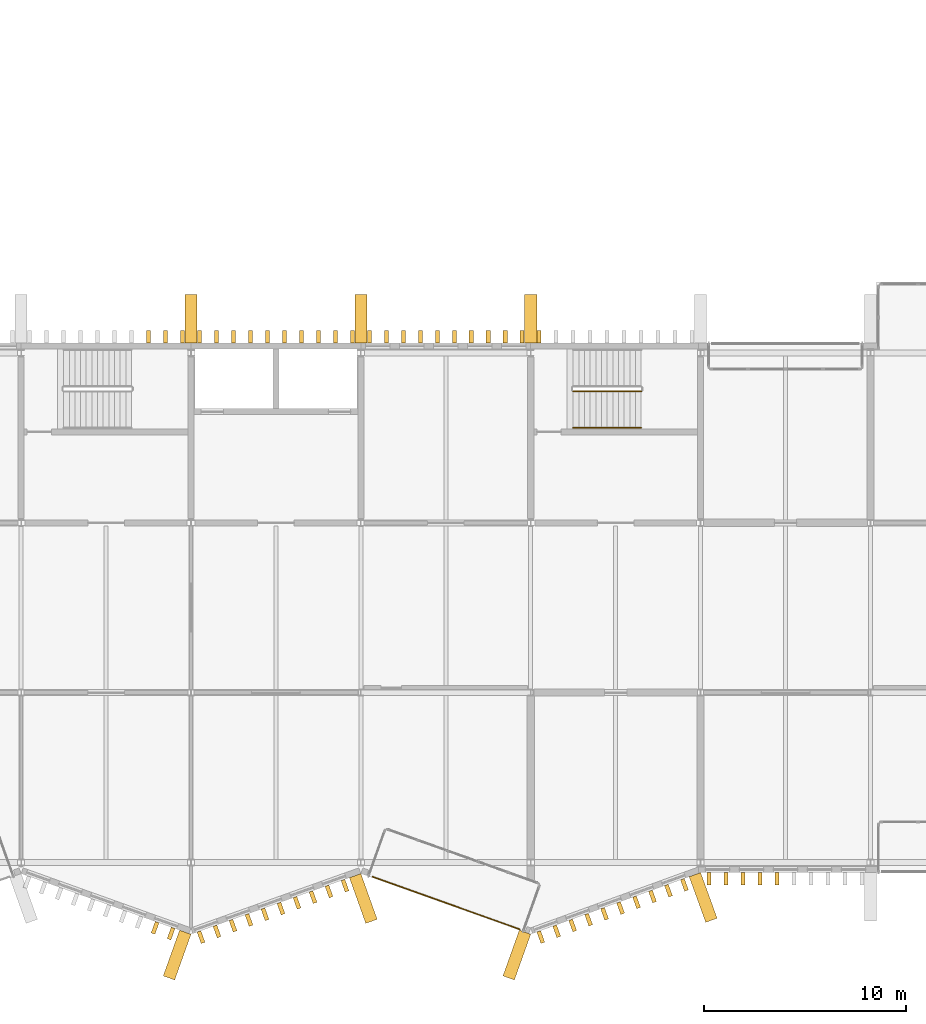
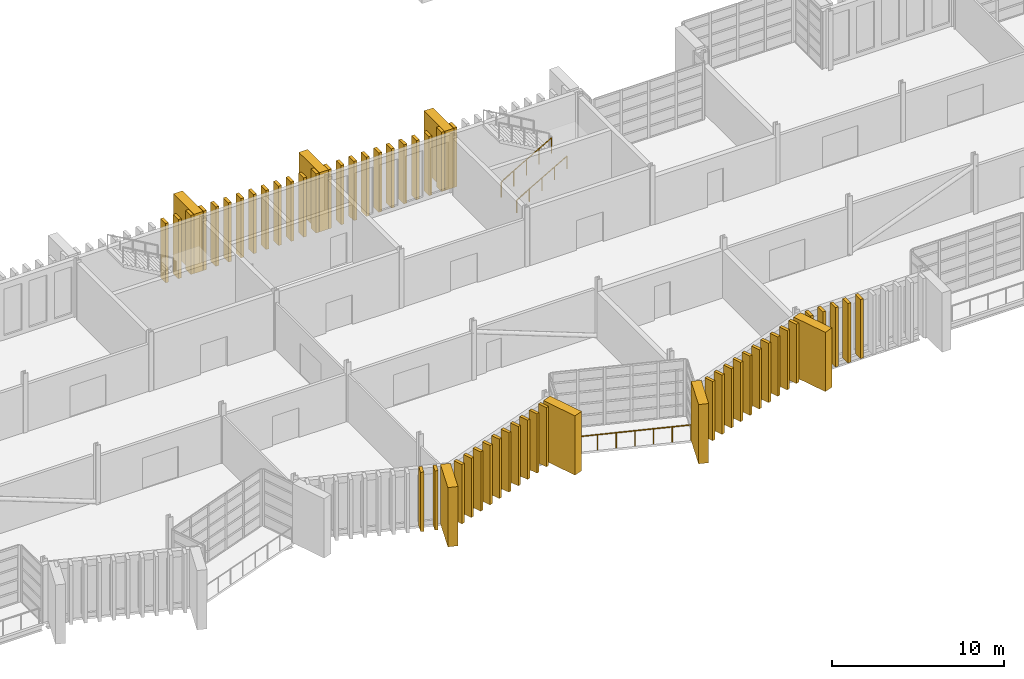
# One storey, part 89 of 100: 58 coverings, 3 railings.
"""IFC4 building model written with IfcOpenShell, lengths in metres."""

from ifc_helpers import new_model, si_unit, direction, frame, origin, origin_2d, place, context, subcontext, project, spatial, rectangle, circle, extrude, material, type_object, element, save


model = new_model("IFC4")

# Units and contexts
model_context = context("Model", 3, precision=1e-05, world=origin(), true_north=direction((0.0, 1.0)))
body_context = subcontext(model_context, "Body", "Model", "MODEL_VIEW")
ifc_project = project(units=[si_unit("LENGTHUNIT", "METRE"), si_unit("AREAUNIT", "SQUARE_METRE"), si_unit("VOLUMEUNIT", "CUBIC_METRE"), si_unit("PLANEANGLEUNIT", "RADIAN"), si_unit("MASSUNIT", "GRAM", prefix="KILO")], contexts=[model_context])

# Site, building, storey
site_placement = place(None, origin())
site = spatial("IfcSite", under=ifc_project, at=site_placement, CompositionType="ELEMENT")
building_placement = place(site_placement, origin())
building = spatial("IfcBuilding", under=site, at=building_placement, Name="Cresset Court Congress Hotel", CompositionType="ELEMENT")
storey_placement = place(building_placement, frame((0.0, 0.0, 10.199951171875)))
storey = spatial("IfcBuildingStorey", under=building, at=storey_placement, Name="L02", CompositionType="ELEMENT", Elevation=10.199951171875)

# Railings
ifc_material_1 = material(Name="Steel and laminated glass", Category="steel")
railing_type_1 = type_object("IfcRailingType", Name="Guard 1100 steel and glass", PredefinedType="GUARDRAIL", material=ifc_material_1)
railing_1_placement = place(storey_placement, frame((60.89990234375, 23.300048828125, 0.16162109375)))
element("IfcRailing", 1, at=railing_1_placement, inside=storey, type_object=railing_type_1, Name="L02 ST-B3 stair guard 1", PredefinedType="GUARDRAIL", context=body_context, shape_type="SweptSolid", body=[
    extrude(circle(Radius=0.02392578125, at=origin_2d()), frame((0.0, 0.0, 1.076171875), z_axis=(0.866190824863, 0.0, 0.499713372768), x_axis=(0.0, 1.0, 0.0)), (0.0, 0.0, 1.0), 3.879150390625),
    extrude(circle(Radius=0.02099609375, at=origin_2d()), origin(), (0.0, 0.0, 1.0), 1.052001953125),
    extrude(circle(Radius=0.02099609375, at=origin_2d()), frame((0.840087890625, 0.0, 0.484619140625)), (0.0, 0.0, 1.0), 1.052001953125),
    extrude(circle(Radius=0.02099609375, at=origin_2d()), frame((1.68017578125, 0.0, 0.96923828125)), (0.0, 0.0, 1.0), 1.052001953125),
    extrude(circle(Radius=0.02099609375, at=origin_2d()), frame((2.52001953125, 0.0, 1.453857421875)), (0.0, 0.0, 1.0), 1.052001953125),
    extrude(circle(Radius=0.02099609375, at=origin_2d()), frame((3.360107421875, 0.0, 1.9384765625)), (0.0, 0.0, 1.0), 1.052001953125),
])
ifc_material_2 = material(Name="Steel and laminated glass", Category="steel")
railing_type_2 = type_object("IfcRailingType", Name="Guard 1100 steel and glass external", PredefinedType="GUARDRAIL", material=ifc_material_2)
railing_2_placement = place(storey_placement, frame((50.98193359375, -0.704833984375, 0.0)))
element("IfcRailing", 2, at=railing_2_placement, inside=storey, type_object=railing_type_2, Name="Guard to recess S0207", PredefinedType="GUARDRAIL", context=body_context, shape_type="SweptSolid", body=[
    extrude(circle(Radius=0.02392578125, at=origin_2d()), frame((0.0, 0.0, 1.076171875), z_axis=(0.941748351249, -0.336318365422, 0.0), x_axis=(0.336318365422, 0.941748351249, 0.0)), (0.0, 0.0, 1.0), 7.719482421875),
    extrude(circle(Radius=0.02099609375, at=origin_2d()), origin(), (0.0, 0.0, 1.0), 1.052001953125),
    extrude(circle(Radius=0.02099609375, at=origin_2d()), frame((1.03857421875, -0.370849609375, 0.0)), (0.0, 0.0, 1.0), 1.052001953125),
    extrude(circle(Radius=0.02099609375, at=origin_2d()), frame((2.0771484375, -0.74169921875, 0.0)), (0.0, 0.0, 1.0), 1.052001953125),
    extrude(circle(Radius=0.02099609375, at=origin_2d()), frame((3.11572265625, -1.112548828125, 0.0)), (0.0, 0.0, 1.0), 1.052001953125),
    extrude(circle(Radius=0.02099609375, at=origin_2d()), frame((4.154052734375, -1.483642578125, 0.0)), (0.0, 0.0, 1.0), 1.052001953125),
    extrude(circle(Radius=0.02099609375, at=origin_2d()), frame((5.192626953125, -1.8544921875, 0.0)), (0.0, 0.0, 1.0), 1.052001953125),
    extrude(circle(Radius=0.02099609375, at=origin_2d()), frame((6.231201171875, -2.225341796875, 0.0)), (0.0, 0.0, 1.0), 1.052001953125),
    extrude(circle(Radius=0.02099609375, at=origin_2d()), frame((7.269775390625, -2.59619140625, 0.0)), (0.0, 0.0, 1.0), 1.052001953125),
])
ifc_material_3 = material(Name="Stainless steel", Category="steel")
railing_type_3 = type_object("IfcRailingType", Name="Handrail 48 stainless", PredefinedType="HANDRAIL", material=ifc_material_3)
railing_3_placement = place(storey_placement, frame((60.89990234375, 21.5, 0.16162109375)))
element("IfcRailing", 3, at=railing_3_placement, inside=storey, type_object=railing_type_3, Name="L02 ST-B3 stair handrail 1", PredefinedType="HANDRAIL", context=body_context, shape_type="SweptSolid", body=[
    extrude(circle(Radius=0.02392578125, at=origin_2d()), frame((0.0, 0.0, 0.8759765625), z_axis=(0.866190824863, 0.0, 0.499713372768), x_axis=(0.0, 1.0, 0.0)), (0.0, 0.0, 1.0), 3.879150390625),
    extrude(circle(Radius=0.02099609375, at=origin_2d()), origin(), (0.0, 0.0, 1.0), 0.851806640625),
    extrude(circle(Radius=0.02099609375, at=origin_2d()), frame((0.840087890625, 0.0, 0.484619140625)), (0.0, 0.0, 1.0), 0.851806640625),
    extrude(circle(Radius=0.02099609375, at=origin_2d()), frame((1.68017578125, 0.0, 0.96923828125)), (0.0, 0.0, 1.0), 0.851806640625),
    extrude(circle(Radius=0.02099609375, at=origin_2d()), frame((2.52001953125, 0.0, 1.453857421875)), (0.0, 0.0, 1.0), 0.851806640625),
    extrude(circle(Radius=0.02099609375, at=origin_2d()), frame((3.360107421875, 0.0, 1.9384765625)), (0.0, 0.0, 1.0), 0.851806640625),
])

# Coverings
ifc_material_4 = material(Name="Precast concrete C50", Category="concrete")
covering_type_1 = type_object("IfcCoveringType", Name="Precast stone fin 200x600 variant 1", PredefinedType="CLADDING", material=ifc_material_4)
for number, where, z_axis, x_axis, name in (
    (4, (40.22314453125, -3.23388671875, 0.0), (0.0, 0.0, 1.0), (0.94174205282, -0.336336001568, 0.0), "Fin S02-038"),
    (5, (41.01416015625, -3.5166015625, 0.0), (0.0, 0.0, 1.0), (0.94174205282, -0.336336001568, 0.0), "Fin S02-039"),
    (6, (42.496337890625, -3.691162109375, 0.0), (0.0, 0.0, 1.0), (0.94174205282, 0.336336001568, 0.0), "Fin S02-040"),
    (7, (43.28759765625, -3.40869140625, 0.0), (0.0, 0.0, 1.0), (0.94174205282, 0.336336001568, 0.0), "Fin S02-041"),
    (8, (44.07861328125, -3.126220703125, 0.0), (0.0, 0.0, 1.0), (0.94174205282, 0.336336001568, 0.0), "Fin S02-042"),
    (9, (44.86962890625, -2.84375, 0.0), (0.0, 0.0, 1.0), (0.94174205282, 0.336336001568, 0.0), "Fin S02-043"),
    (10, (45.66064453125, -2.561279296875, 0.0), (0.0, 0.0, 1.0), (0.94174205282, 0.336336001568, 0.0), "Fin S02-044"),
    (11, (46.45166015625, -2.278564453125, 0.0), (0.0, 0.0, 1.0), (0.94174205282, 0.336336001568, 0.0), "Fin S02-045"),
    (12, (47.242919921875, -1.99609375, 0.0), (0.0, 0.0, 1.0), (0.94174205282, 0.336336001568, 0.0), "Fin S02-046"),
    (13, (48.033935546875, -1.713623046875, 0.0), (0.0, 0.0, 1.0), (0.94174205282, 0.336336001568, 0.0), "Fin S02-047"),
    (14, (48.824951171875, -1.43115234375, 0.0), (0.0, 0.0, 1.0), (0.94174205282, 0.336336001568, 0.0), "Fin S02-048"),
    (15, (49.615966796875, -1.1484375, 0.0), (0.0, 0.0, 1.0), (0.94174205282, 0.336336001568, 0.0), "Fin S02-049"),
    (16, (59.297119140625, -3.688720703125, 0.0), (0.0, 0.0, 1.0), (0.939956783309, 0.341293488819, 0.0), "Fin S02-060"),
    (17, (60.086669921875, -3.40185546875, 0.0), (0.0, 0.0, 1.0), (0.939956783309, 0.341293488819, 0.0), "Fin S02-061"),
    (18, (60.876220703125, -3.115234375, 0.0), (0.0, 0.0, 1.0), (0.939956783309, 0.341293488819, 0.0), "Fin S02-062"),
    (19, (61.665771484375, -2.82861328125, 0.0), (0.0, 0.0, 1.0), (0.939956783309, 0.341293488819, 0.0), "Fin S02-063"),
    (20, (62.455322265625, -2.5419921875, 0.0), (0.0, 0.0, 1.0), (0.939956783309, 0.341293488819, 0.0), "Fin S02-064"),
    (21, (63.244873046875, -2.255126953125, 0.0), (0.0, 0.0, 1.0), (0.939956783309, 0.341293488819, 0.0), "Fin S02-065"),
    (22, (64.03466796875, -1.968505859375, 0.0), (0.0, 0.0, 1.0), (0.939956783309, 0.341293488819, 0.0), "Fin S02-066"),
    (23, (64.82421875, -1.681884765625, 0.0), (0.0, 0.0, 1.0), (0.939956783309, 0.341293488819, 0.0), "Fin S02-067"),
    (24, (65.61376953125, -1.395263671875, 0.0), (0.0, 0.0, 1.0), (0.939956783309, 0.341293488819, 0.0), "Fin S02-068"),
    (25, (66.4033203125, -1.1083984375, 0.0), (0.0, 0.0, 1.0), (0.939956783309, 0.341293488819, 0.0), "Fin S02-069"),
    (26, (67.6201171875, -0.800048828125, 0.0), (0.0, 0.0, 1.0), (1.0, 0.0, 0.0), "Fin S02-070"),
    (27, (68.4599609375, -0.800048828125, 0.0), (0.0, 0.0, 1.0), (1.0, 0.0, 0.0), "Fin S02-071"),
    (28, (69.300048828125, -0.800048828125, 0.0), (0.0, 0.0, 1.0), (1.0, 0.0, 0.0), "Fin S02-072"),
    (29, (70.139892578125, -0.800048828125, 0.0), (0.0, 0.0, 1.0), (1.0, 0.0, 0.0), "Fin S02-073"),
    (30, (70.97998046875, -0.800048828125, 0.0), (0.0, 0.0, 1.0), (1.0, 0.0, 0.0), "Fin S02-074"),
    (31, (39.89990234375, 26.0, 0.0), (0.0, 0.0, 1.0), (1.0, 0.0, 0.0), "Fin N02-037"),
    (32, (40.739990234375, 26.0, 0.0), (0.0, 0.0, 1.0), (1.0, 0.0, 0.0), "Fin N02-038"),
    (33, (41.580078125, 26.0, 0.0), (0.0, 0.0, 1.0), (1.0, 0.0, 0.0), "Fin N02-039"),
    (34, (42.419921875, 26.0, 0.0), (0.0, 0.0, 1.0), (1.0, 0.0, 0.0), "Fin N02-040"),
    (35, (43.260009765625, 26.0, 0.0), (0.0, 0.0, 1.0), (1.0, 0.0, 0.0), "Fin N02-041"),
    (36, (44.10009765625, 26.0, 0.0), (0.0, 0.0, 1.0), (1.0, 0.0, 0.0), "Fin N02-042"),
    (37, (44.93994140625, 26.0, 0.0), (0.0, 0.0, 1.0), (1.0, 0.0, 0.0), "Fin N02-043"),
    (38, (45.780029296875, 26.0, 0.0), (0.0, 0.0, 1.0), (1.0, 0.0, 0.0), "Fin N02-044"),
    (39, (46.6201171875, 26.0, 0.0), (0.0, 0.0, 1.0), (1.0, 0.0, 0.0), "Fin N02-045"),
    (40, (47.4599609375, 26.0, 0.0), (0.0, 0.0, 1.0), (1.0, 0.0, 0.0), "Fin N02-046"),
    (41, (48.300048828125, 26.0, 0.0), (0.0, 0.0, 1.0), (1.0, 0.0, 0.0), "Fin N02-047"),
    (42, (49.139892578125, 26.0, 0.0), (0.0, 0.0, 1.0), (1.0, 0.0, 0.0), "Fin N02-048"),
    (43, (49.97998046875, 26.0, 0.0), (0.0, 0.0, 1.0), (1.0, 0.0, 0.0), "Fin N02-049"),
    (44, (50.820068359375, 26.0, 0.0), (0.0, 0.0, 1.0), (1.0, 0.0, 0.0), "Fin N02-050"),
    (45, (51.659912109375, 26.0, 0.0), (0.0, 0.0, 1.0), (1.0, 0.0, 0.0), "Fin N02-051"),
    (46, (52.5, 26.0, 0.0), (0.0, 0.0, 1.0), (1.0, 0.0, 0.0), "Fin N02-052"),
    (47, (53.340087890625, 26.0, 0.0), (0.0, 0.0, 1.0), (1.0, 0.0, 0.0), "Fin N02-053"),
    (48, (54.179931640625, 26.0, 0.0), (0.0, 0.0, 1.0), (1.0, 0.0, 0.0), "Fin N02-054"),
    (49, (55.02001953125, 26.0, 0.0), (0.0, 0.0, 1.0), (1.0, 0.0, 0.0), "Fin N02-055"),
    (50, (55.860107421875, 26.0, 0.0), (0.0, 0.0, 1.0), (1.0, 0.0, 0.0), "Fin N02-056"),
    (51, (56.699951171875, 26.0, 0.0), (0.0, 0.0, 1.0), (1.0, 0.0, 0.0), "Fin N02-057"),
    (52, (57.5400390625, 26.0, 0.0), (0.0, 0.0, 1.0), (1.0, 0.0, 0.0), "Fin N02-058"),
    (53, (58.3798828125, 26.0, 0.0), (0.0, 0.0, 1.0), (1.0, 0.0, 0.0), "Fin N02-059"),
    (54, (59.219970703125, 26.0, 0.0), (0.0, 0.0, 1.0), (1.0, 0.0, 0.0), "Fin N02-060"),
):
    element("IfcCovering", number, at=place(storey_placement, frame(where, z_axis=z_axis, x_axis=x_axis)), inside=storey, type_object=covering_type_1, Name=name, PredefinedType="CLADDING", context=body_context, shape_type="SweptSolid", body=[
        extrude(rectangle(XDim=0.199951171875, YDim=0.60009765625, at=origin_2d()), origin(), (0.0, 0.0, 1.0), 4.199951171875),
    ])
ifc_material_5 = material(Name="Precast concrete C50", Category="concrete")
covering_type_2 = type_object("IfcCoveringType", Name="Precast stone pier 600x2400", PredefinedType="CLADDING", material=ifc_material_5)
for number, where, z_axis, x_axis, name in (
    (55, (41.31396484375, -4.5791015625, 0.0), (0.0, 0.0, 1.0), (0.94174205282, -0.336336001568, 0.0), "Pier S02-04"),
    (56, (50.52099609375, -1.781005859375, 0.0), (0.0, 0.0, 1.0), (0.94174205282, 0.336336001568, 0.0), "Pier S02-05"),
    (57, (58.11376953125, -4.5791015625, 0.0), (0.0, 0.0, 1.0), (0.94174205282, -0.336336001568, 0.0), "Pier S02-06"),
    (58, (67.32763671875, -1.730224609375, 0.0), (0.0, 0.0, 1.0), (0.939956783309, 0.341293488819, 0.0), "Pier S02-07"),
    (59, (42.0, 26.89990234375, 0.0), (0.0, 0.0, 1.0), (1.0, 0.0, 0.0), "Pier N02-04"),
    (60, (50.39990234375, 26.89990234375, 0.0), (0.0, 0.0, 1.0), (1.0, 0.0, 0.0), "Pier N02-05"),
    (61, (58.800048828125, 26.89990234375, 0.0), (0.0, 0.0, 1.0), (1.0, 0.0, 0.0), "Pier N02-06"),
):
    element("IfcCovering", number, at=place(storey_placement, frame(where, z_axis=z_axis, x_axis=x_axis)), inside=storey, type_object=covering_type_2, Name=name, PredefinedType="CLADDING", context=body_context, shape_type="SweptSolid", body=[
        extrude(rectangle(XDim=0.60009765625, YDim=2.39990234375, at=origin_2d()), origin(), (0.0, 0.0, 1.0), 4.199951171875),
    ])

save(model, "model.ifc")
